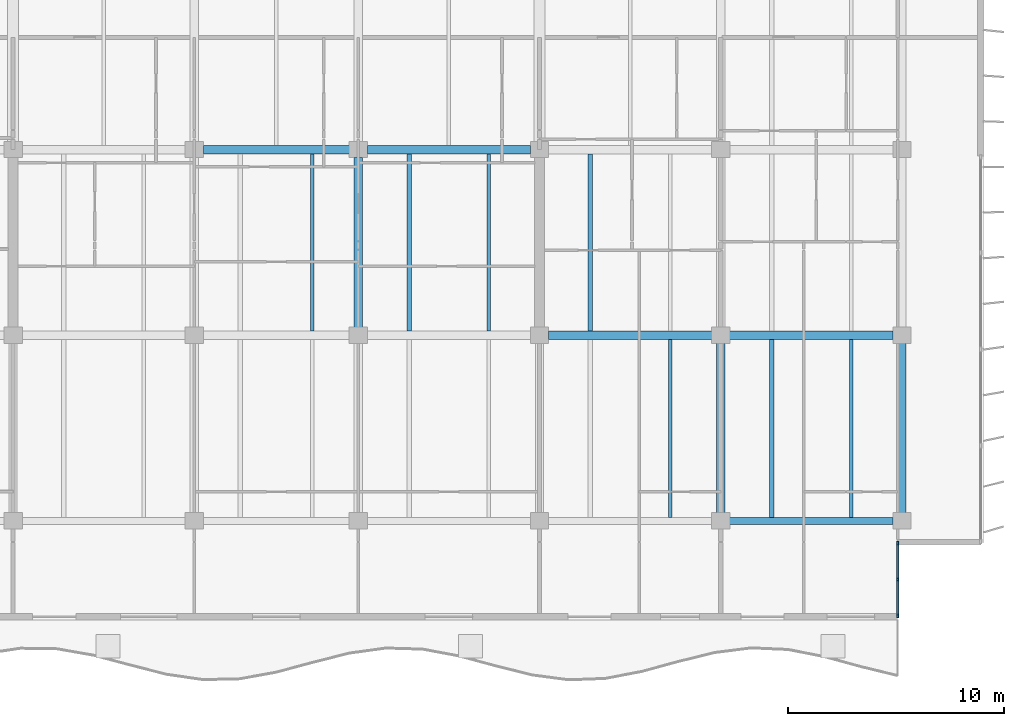
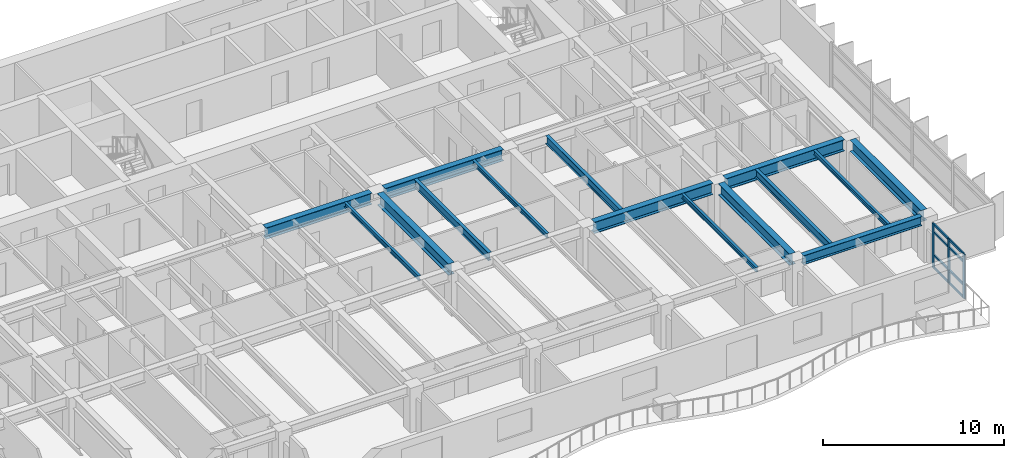
# One storey, part 4 of 18: 15 beams, 11 members, 1 element without a shape of its own.
"""IFC4 building model written with IfcOpenShell, lengths in metres."""

from ifc_helpers import new_model, si_unit, direction, frame, origin, origin_2d, place, context, subcontext, project, spatial, rectangle, i_section, extrude, material, layer, layer_set, material_profile, profile_set, type_object, element, aggregate, save


model = new_model("IFC4")

# Units and contexts
model_context = context("Model", 3, precision=1e-05, world=origin(), true_north=direction((0.0, 1.0)))
body_context = subcontext(model_context, "Body", "Model", "MODEL_VIEW")
ifc_project = project(units=[si_unit("LENGTHUNIT", "METRE"), si_unit("AREAUNIT", "SQUARE_METRE"), si_unit("VOLUMEUNIT", "CUBIC_METRE"), si_unit("PLANEANGLEUNIT", "RADIAN"), si_unit("MASSUNIT", "GRAM", prefix="KILO")], contexts=[model_context])

# Site, building, storey
site_placement = place(None, origin())
site = spatial("IfcSite", under=ifc_project, at=site_placement, CompositionType="ELEMENT")
building_placement = place(site_placement, origin())
building = spatial("IfcBuilding", under=site, at=building_placement, Name="Caelmar Bay Residences", CompositionType="ELEMENT")
storey_placement = place(building_placement, frame((0.0, 0.0, 180.300048828125)))
storey = spatial("IfcBuildingStorey", under=building, at=storey_placement, Name="L50", CompositionType="ELEMENT", Elevation=180.300048828125)

# Beams
ifc_material_1 = material(Name="Steel ASTM A992 Grade 50", Category="steel")
ifc_material_profile_1 = material_profile(ifc_material_1, i_section(OverallWidth=0.381103515625, OverallDepth=0.77197265625, WebThickness=0.0166015625, FlangeThickness=0.027099609375, FilletRadius=0.0166015625, at=origin_2d()), Name="W30X173")
ifc_profile_set_1 = profile_set([ifc_material_profile_1], Name="Steel ASTM A992 Grade 50")
beam_type_1 = type_object("IfcBeamType", Name="BM-GRD-W30X173", PredefinedType="BEAM", material=ifc_profile_set_1)
for number, where, z_axis, x_axis, name in (
    (1, (51.514892578125, 20.800048828125, 2.614013671875), (1.0, 0.0, 0.0), (0.0, 1.0, 0.0), "L50 East-West Girder Y=20.80 (51.1-59.5)"),
    (2, (59.9150390625, 20.800048828125, 2.614013671875), (1.0, 0.0, 0.0), (0.0, 1.0, 0.0), "L50 East-West Girder Y=20.80 (59.5-67.9)"),
):
    element("IfcBeam", number, at=place(storey_placement, frame(where, z_axis=z_axis, x_axis=x_axis)), inside=storey, type_object=beam_type_1, Name=name, PredefinedType="BEAM", context=body_context, shape_type="SweptSolid", body=[
        extrude(i_section(OverallWidth=0.381103515625, OverallDepth=0.77197265625, WebThickness=0.0166015625, FlangeThickness=0.027099609375, FilletRadius=0.0166015625, at=origin_2d()), origin(), (0.0, 0.0, 1.0), 7.570068359375),
    ])
beam_1_placement = place(storey_placement, frame((35.514892578125, 29.39990234375, 2.614013671875), z_axis=(1.0, 0.0, 0.0), x_axis=(0.0, 1.0, 0.0)))
element("IfcBeam", 3, at=beam_1_placement, inside=storey, type_object=beam_type_1, Name="L50 East-West Girder Y=29.40 (35.1-42.7)", PredefinedType="BEAM", context=body_context, shape_type="SweptSolid", body=[
    extrude(i_section(OverallWidth=0.381103515625, OverallDepth=0.77197265625, WebThickness=0.0166015625, FlangeThickness=0.027099609375, FilletRadius=0.0166015625, at=origin_2d()), origin(), (0.0, 0.0, 1.0), 6.77001953125),
])
beam_2_placement = place(storey_placement, frame((43.114990234375, 29.39990234375, 2.614013671875), z_axis=(1.0, 0.0, 0.0), x_axis=(0.0, 1.0, 0.0)))
element("IfcBeam", 4, at=beam_2_placement, inside=storey, type_object=beam_type_1, Name="L50 East-West Girder Y=29.40 (42.7-51.1)", PredefinedType="BEAM", context=body_context, shape_type="SweptSolid", body=[
    extrude(i_section(OverallWidth=0.381103515625, OverallDepth=0.77197265625, WebThickness=0.0166015625, FlangeThickness=0.027099609375, FilletRadius=0.0166015625, at=origin_2d()), origin(), (0.0, 0.0, 1.0), 7.570068359375),
])
beam_3_placement = place(storey_placement, frame((42.699951171875, 21.1650390625, 2.614013671875), z_axis=(0.0, 1.0, 0.0), x_axis=(-1.0, 0.0, 0.0)))
element("IfcBeam", 5, at=beam_3_placement, inside=storey, type_object=beam_type_1, Name="L50 North-South Girder X=42.70 (20.8-29.4)", PredefinedType="BEAM", context=body_context, shape_type="SweptSolid", body=[
    extrude(i_section(OverallWidth=0.381103515625, OverallDepth=0.77197265625, WebThickness=0.0166015625, FlangeThickness=0.027099609375, FilletRadius=0.0166015625, at=origin_2d()), origin(), (0.0, 0.0, 1.0), 7.869873046875),
])
for number, where, z_axis, x_axis, name in (
    (6, (59.5, 12.56494140625, 2.614013671875), (0.0, 1.0, 0.0), (-1.0, 0.0, 0.0), "L50 North-South Girder X=59.50 (12.2-20.8)"),
    (7, (67.89990234375, 12.56494140625, 2.614013671875), (0.0, 1.0, 0.0), (-1.0, 0.0, 0.0), "L50 North-South Girder X=67.90 (12.2-20.8)"),
):
    element("IfcBeam", number, at=place(storey_placement, frame(where, z_axis=z_axis, x_axis=x_axis)), inside=storey, type_object=beam_type_1, Name=name, PredefinedType="BEAM", context=body_context, shape_type="SweptSolid", body=[
        extrude(i_section(OverallWidth=0.381103515625, OverallDepth=0.77197265625, WebThickness=0.0166015625, FlangeThickness=0.027099609375, FilletRadius=0.0166015625, at=origin_2d()), origin(), (0.0, 0.0, 1.0), 7.8701171875),
    ])
ifc_material_profile_2 = material_profile(ifc_material_1, i_section(OverallWidth=0.1650390625, OverallDepth=0.31005859375, WebThickness=0.005859375, FlangeThickness=0.009765625, FilletRadius=0.007568359375, at=origin_2d()), Name="W12X26")
ifc_profile_set_2 = profile_set([ifc_material_profile_2], Name="Steel ASTM A992 Grade 50")
beam_type_2 = type_object("IfcBeamType", Name="BM-JST-W12X26", PredefinedType="JOIST", material=ifc_profile_set_2)
for number, where, z_axis, x_axis, name in (
    (8, (57.14794921875, 12.362548828125, 2.844970703125), (0.0, 1.0, 0.0), (-1.0, 0.0, 0.0), "L50 Composite Floor Joist 12"),
    (9, (65.548095703125, 12.362548828125, 2.844970703125), (0.0, 1.0, 0.0), (-1.0, 0.0, 0.0), "L50 Composite Floor Joist 14"),
):
    element("IfcBeam", number, at=place(storey_placement, frame(where, z_axis=z_axis, x_axis=x_axis)), inside=storey, type_object=beam_type_2, Name=name, PredefinedType="JOIST", context=body_context, shape_type="SweptSolid", body=[
        extrude(i_section(OverallWidth=0.1650390625, OverallDepth=0.31005859375, WebThickness=0.005859375, FlangeThickness=0.009765625, FilletRadius=0.007568359375, at=origin_2d()), origin(), (0.0, 0.0, 1.0), 8.2470703125),
    ])
for number, where, z_axis, x_axis, name in (
    (10, (40.572021484375, 20.990478515625, 2.844970703125), (0.0, 1.0, 0.0), (-1.0, 0.0, 0.0), "L50 Composite Floor Joist 22"),
    (11, (48.748046875, 20.990478515625, 2.844970703125), (0.0, 1.0, 0.0), (-1.0, 0.0, 0.0), "L50 Composite Floor Joist 24"),
):
    element("IfcBeam", number, at=place(storey_placement, frame(where, z_axis=z_axis, x_axis=x_axis)), inside=storey, type_object=beam_type_2, Name=name, PredefinedType="JOIST", context=body_context, shape_type="SweptSolid", body=[
        extrude(i_section(OverallWidth=0.1650390625, OverallDepth=0.31005859375, WebThickness=0.005859375, FlangeThickness=0.009765625, FilletRadius=0.007568359375, at=origin_2d()), origin(), (0.0, 0.0, 1.0), 8.218994140625),
    ])
ifc_material_profile_3 = material_profile(ifc_material_1, i_section(OverallWidth=0.2099609375, OverallDepth=0.535888671875, WebThickness=0.010986328125, FlangeThickness=0.017333984375, FilletRadius=0.0126953125, at=origin_2d()), Name="W21X68")
ifc_profile_set_3 = profile_set([ifc_material_profile_3], Name="Steel ASTM A992 Grade 50")
beam_type_3 = type_object("IfcBeamType", Name="BM-JST-W21X68", PredefinedType="JOIST", material=ifc_profile_set_3)
beam_4_placement = place(storey_placement, frame((61.85205078125, 12.362548828125, 2.73193359375), z_axis=(0.0, 1.0, 0.0), x_axis=(-1.0, 0.0, 0.0)))
element("IfcBeam", 12, at=beam_4_placement, inside=storey, type_object=beam_type_3, Name="L50 Composite Floor Joist 13", PredefinedType="JOIST", context=body_context, shape_type="SweptSolid", body=[
    extrude(i_section(OverallWidth=0.2099609375, OverallDepth=0.535888671875, WebThickness=0.010986328125, FlangeThickness=0.017333984375, FilletRadius=0.0126953125, at=origin_2d()), origin(), (0.0, 0.0, 1.0), 8.2470703125),
])
for number, where, z_axis, x_axis, name in (
    (13, (45.052001953125, 20.990478515625, 2.73193359375), (0.0, 1.0, 0.0), (-1.0, 0.0, 0.0), "L50 Composite Floor Joist 23"),
    (14, (53.451904296875, 20.990478515625, 2.73193359375), (0.0, 1.0, 0.0), (-1.0, 0.0, 0.0), "L50 Composite Floor Joist 25"),
):
    element("IfcBeam", number, at=place(storey_placement, frame(where, z_axis=z_axis, x_axis=x_axis)), inside=storey, type_object=beam_type_3, Name=name, PredefinedType="JOIST", context=body_context, shape_type="SweptSolid", body=[
        extrude(i_section(OverallWidth=0.2099609375, OverallDepth=0.535888671875, WebThickness=0.010986328125, FlangeThickness=0.017333984375, FilletRadius=0.0126953125, at=origin_2d()), origin(), (0.0, 0.0, 1.0), 8.218994140625),
    ])
ifc_material_profile_4 = material_profile(ifc_material_1, i_section(OverallWidth=0.324951171875, OverallDepth=0.616943359375, WebThickness=0.013916015625, FlangeThickness=0.021484375, FilletRadius=0.0126953125, at=origin_2d()), Name="W24X117")
ifc_profile_set_4 = profile_set([ifc_material_profile_4], Name="Steel ASTM A992 Grade 50")
beam_type_4 = type_object("IfcBeamType", Name="BM-SPN-W24X117", PredefinedType="SPANDREL", material=ifc_profile_set_4)
beam_5_placement = place(storey_placement, frame((59.9150390625, 12.199951171875, 2.69140625), z_axis=(1.0, 0.0, 0.0), x_axis=(0.0, 1.0, 0.0)))
element("IfcBeam", 15, at=beam_5_placement, inside=storey, type_object=beam_type_4, Name="L50 East-West Girder Y=12.20 (59.5-67.9)", PredefinedType="SPANDREL", context=body_context, shape_type="SweptSolid", body=[
    extrude(i_section(OverallWidth=0.324951171875, OverallDepth=0.616943359375, WebThickness=0.013916015625, FlangeThickness=0.021484375, FilletRadius=0.0126953125, at=origin_2d()), origin(), (0.0, 0.0, 1.0), 7.570068359375),
])

# Curtain wall, members
ifc_material_2 = material(Name="Anodised bronze aluminium 6063-T6 and laminated glass", Category="aluminium")
ifc_layer = layer(ifc_material_2, 0.179931640625)
ifc_layer_set = layer_set([ifc_layer], Name="Anodised bronze aluminium 6063-T6 and laminated glass")
curtain_wall_type = type_object("IfcCurtainWallType", Name="CW6-NTC", PredefinedType="NOTDEFINED", material=ifc_layer_set)
curtain_wall_placement = place(storey_placement, origin())
curtain_wall = element("IfcCurtainWall", 16, at=curtain_wall_placement, inside=storey, type_object=curtain_wall_type, Name="CW6 curtain wall L50", PredefinedType="NOTDEFINED")
ifc_material_3 = material(Name="Anodised bronze aluminium 6063-T6", Category="aluminium")
ifc_material_profile_5 = material_profile(ifc_material_3, rectangle(XDim=0.080078125, YDim=0.179931640625, at=origin_2d()), Name="CWM-80X180")
ifc_profile_set_5 = profile_set([ifc_material_profile_5], Name="Anodised bronze aluminium 6063-T6")
member_type_1 = type_object("IfcMemberType", Name="CWM-180", PredefinedType="MULLION", material=ifc_profile_set_5)
member_1_placement = place(storey_placement, frame((67.699951171875, 7.7900390625, 0.0), z_axis=(0.0, 0.0, 1.0), x_axis=(-1.0, 0.0, 0.0)))
member_1 = element("IfcMember", 17, at=member_1_placement, type_object=member_type_1, Name="CW6 mullion 1", PredefinedType="MULLION", context=body_context, shape_type="SweptSolid", body=[
    extrude(rectangle(XDim=0.080078125, YDim=0.179931640625, at=origin_2d()), origin(), (0.0, 0.0, 1.0), 3.0),
])
member_2_placement = place(storey_placement, frame((67.699951171875, 9.47509765625, 0.0), z_axis=(0.0, 0.0, 1.0), x_axis=(-1.0, 0.0, 0.0)))
member_2 = element("IfcMember", 18, at=member_2_placement, type_object=member_type_1, Name="CW6 mullion 2", PredefinedType="MULLION", context=body_context, shape_type="SweptSolid", body=[
    extrude(rectangle(XDim=0.080078125, YDim=0.179931640625, at=origin_2d()), origin(), (0.0, 0.0, 1.0), 3.0),
])
member_3_placement = place(storey_placement, frame((67.699951171875, 11.159912109375, 0.0), z_axis=(0.0, 0.0, 1.0), x_axis=(-1.0, 0.0, 0.0)))
member_3 = element("IfcMember", 19, at=member_3_placement, type_object=member_type_1, Name="CW6 mullion 3", PredefinedType="MULLION", context=body_context, shape_type="SweptSolid", body=[
    extrude(rectangle(XDim=0.080078125, YDim=0.179931640625, at=origin_2d()), origin(), (0.0, 0.0, 1.0), 3.0),
])
ifc_material_profile_6 = material_profile(ifc_material_3, rectangle(XDim=0.080078125, YDim=0.139892578125, at=origin_2d()), Name="CWT-80X140")
ifc_profile_set_6 = profile_set([ifc_material_profile_6], Name="Anodised bronze aluminium 6063-T6")
member_type_2 = type_object("IfcMemberType", Name="CWT-140", PredefinedType="NOTDEFINED", material=ifc_profile_set_6)
member_4_placement = place(storey_placement, frame((67.699951171875, 7.830078125, 0.0400390625), z_axis=(0.0, 1.0, 0.0), x_axis=(-1.0, 0.0, 0.0)))
member_4 = element("IfcMember", 20, at=member_4_placement, type_object=member_type_2, Name="CW6 transom 1.1", ObjectType="TRANSOM", PredefinedType="USERDEFINED", context=body_context, shape_type="SweptSolid", body=[
    extrude(rectangle(XDim=0.080078125, YDim=0.139892578125, at=origin_2d()), origin(), (0.0, 0.0, 1.0), 1.60498046875),
])
member_5_placement = place(storey_placement, frame((67.699951171875, 7.830078125, 0.89990234375), z_axis=(0.0, 1.0, 0.0), x_axis=(-1.0, 0.0, 0.0)))
member_5 = element("IfcMember", 21, at=member_5_placement, type_object=member_type_2, Name="CW6 transom 1.2", ObjectType="TRANSOM", PredefinedType="USERDEFINED", context=body_context, shape_type="SweptSolid", body=[
    extrude(rectangle(XDim=0.080078125, YDim=0.139892578125, at=origin_2d()), origin(), (0.0, 0.0, 1.0), 1.60498046875),
])
member_6_placement = place(storey_placement, frame((67.699951171875, 7.830078125, 2.449951171875), z_axis=(0.0, 1.0, 0.0), x_axis=(-1.0, 0.0, 0.0)))
member_6 = element("IfcMember", 22, at=member_6_placement, type_object=member_type_2, Name="CW6 transom 1.3", ObjectType="TRANSOM", PredefinedType="USERDEFINED", context=body_context, shape_type="SweptSolid", body=[
    extrude(rectangle(XDim=0.080078125, YDim=0.139892578125, at=origin_2d()), origin(), (0.0, 0.0, 1.0), 1.60498046875),
])
member_7_placement = place(storey_placement, frame((67.699951171875, 7.830078125, 2.9599609375), z_axis=(0.0, 1.0, 0.0), x_axis=(-1.0, 0.0, 0.0)))
member_7 = element("IfcMember", 23, at=member_7_placement, type_object=member_type_2, Name="CW6 transom 1.4", ObjectType="TRANSOM", PredefinedType="USERDEFINED", context=body_context, shape_type="SweptSolid", body=[
    extrude(rectangle(XDim=0.080078125, YDim=0.139892578125, at=origin_2d()), origin(), (0.0, 0.0, 1.0), 1.60498046875),
])
member_8_placement = place(storey_placement, frame((67.699951171875, 9.514892578125, 0.0400390625), z_axis=(0.0, 1.0, 0.0), x_axis=(-1.0, 0.0, 0.0)))
member_8 = element("IfcMember", 24, at=member_8_placement, type_object=member_type_2, Name="CW6 transom 2.1", ObjectType="TRANSOM", PredefinedType="USERDEFINED", context=body_context, shape_type="SweptSolid", body=[
    extrude(rectangle(XDim=0.080078125, YDim=0.139892578125, at=origin_2d()), origin(), (0.0, 0.0, 1.0), 1.605224609375),
])
member_9_placement = place(storey_placement, frame((67.699951171875, 9.514892578125, 0.89990234375), z_axis=(0.0, 1.0, 0.0), x_axis=(-1.0, 0.0, 0.0)))
member_9 = element("IfcMember", 25, at=member_9_placement, type_object=member_type_2, Name="CW6 transom 2.2", ObjectType="TRANSOM", PredefinedType="USERDEFINED", context=body_context, shape_type="SweptSolid", body=[
    extrude(rectangle(XDim=0.080078125, YDim=0.139892578125, at=origin_2d()), origin(), (0.0, 0.0, 1.0), 1.605224609375),
])
member_10_placement = place(storey_placement, frame((67.699951171875, 9.514892578125, 2.449951171875), z_axis=(0.0, 1.0, 0.0), x_axis=(-1.0, 0.0, 0.0)))
member_10 = element("IfcMember", 26, at=member_10_placement, type_object=member_type_2, Name="CW6 transom 2.3", ObjectType="TRANSOM", PredefinedType="USERDEFINED", context=body_context, shape_type="SweptSolid", body=[
    extrude(rectangle(XDim=0.080078125, YDim=0.139892578125, at=origin_2d()), origin(), (0.0, 0.0, 1.0), 1.605224609375),
])
member_11_placement = place(storey_placement, frame((67.699951171875, 9.514892578125, 2.9599609375), z_axis=(0.0, 1.0, 0.0), x_axis=(-1.0, 0.0, 0.0)))
member_11 = element("IfcMember", 27, at=member_11_placement, type_object=member_type_2, Name="CW6 transom 2.4", ObjectType="TRANSOM", PredefinedType="USERDEFINED", context=body_context, shape_type="SweptSolid", body=[
    extrude(rectangle(XDim=0.080078125, YDim=0.139892578125, at=origin_2d()), origin(), (0.0, 0.0, 1.0), 1.605224609375),
])
aggregate(curtain_wall, [member_1, member_2, member_3, member_4, member_5, member_6, member_7, member_8, member_9, member_10, member_11])

save(model, "model.ifc")
